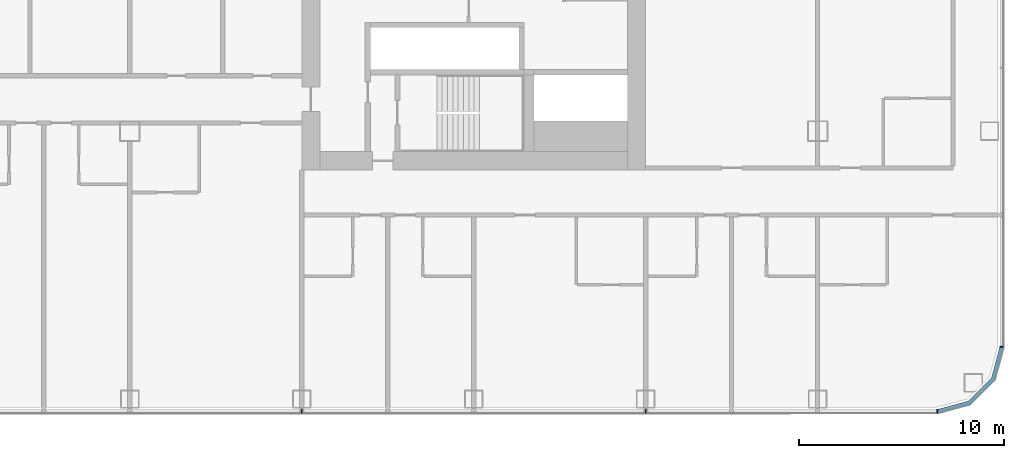
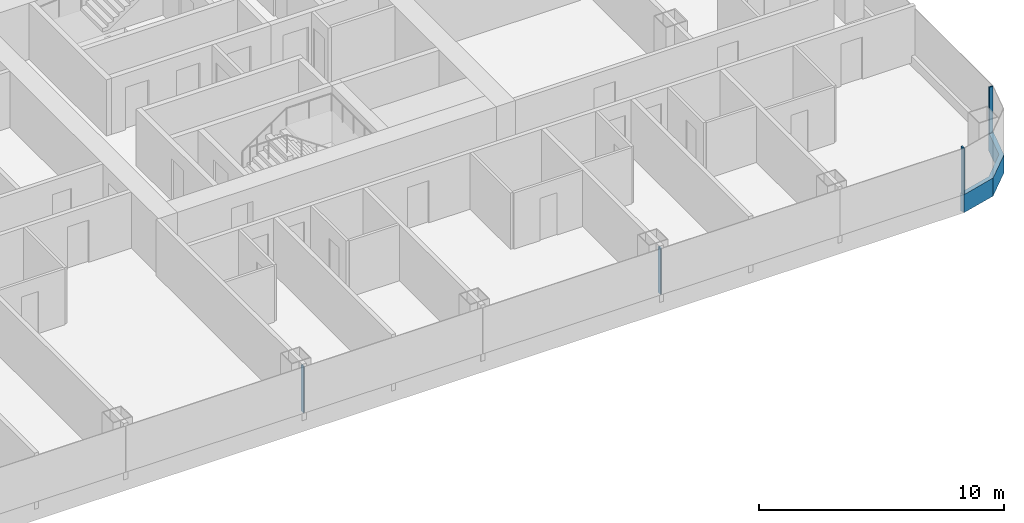
# One storey, part 9 of 29: 5 members, 3 elements without a shape of their own.
"""IFC4 building model written with IfcOpenShell, lengths in metres."""

import ifcopenshell
import ifcopenshell.guid

model = None  # the IFC model being written
_history = None  # IfcOwnerHistory: only IFC2X3 demands one
_inside = {}  # id of a spatial element -> (the spatial element, [elements in it])
_under = {}  # id of a project, library or spatial element -> (it, [spatial elements below it])
_declared = {}  # id of a project -> (the project, [libraries it declares])
_typed = {}  # id of a type object -> (the type object, [elements of that type])
_made_of = {}  # id of a material, layer set ... -> (it, [elements and type objects made of it])


def new_model(schema):
    """Start an empty IFC model of exactly this schema.

    Asked for "IFC4X3", IfcOpenShell would pick the latest addendum, in which some entities
    have other attributes; the version numbers below select the first issue.
    IFC2X3 requires an IfcOwnerHistory on every rooted entity: one is made here for all.
    """
    global model, _history
    if schema == "IFC4X3":
        model = ifcopenshell.file(schema_version=(4, 3, 0, 0))
    else:
        model = ifcopenshell.file(schema=schema)
    _inside.clear()
    _under.clear()
    _declared.clear()
    _typed.clear()
    _made_of.clear()
    _history = None
    if model.schema == "IFC2X3":
        org = make("IfcOrganization", Name="unknown")
        user = make(
            "IfcPersonAndOrganization",
            ThePerson=make("IfcPerson", FamilyName="unknown"),
            TheOrganization=org,
        )
        app = make(
            "IfcApplication",
            ApplicationDeveloper=org,
            Version="unknown",
            ApplicationFullName="unknown",
            ApplicationIdentifier="unknown",
        )
        _history = make(
            "IfcOwnerHistory",
            OwningUser=user,
            OwningApplication=app,
            ChangeAction="ADDED",
            CreationDate=0,
        )
    return model


def make(cls, **values):
    """One entity of the class cls with the attributes given. An attribute that is None is left unset."""
    return model.create_entity(
        cls, **{name: value for name, value in values.items() if value is not None}
    )


def rooted(cls, **values):
    """An entity with a GlobalId (a new one), such as an element, a storey or a relation."""
    return make(cls, GlobalId=ifcopenshell.guid.new(), OwnerHistory=_history, **values)


def si_unit(unit_type, name, prefix=None):
    """IfcSIUnit, for example si_unit("LENGTHUNIT", "METRE", prefix="MILLI")."""
    return make("IfcSIUnit", UnitType=unit_type, Prefix=prefix, Name=name)


def assignment(units):
    """IfcUnitAssignment: the units of a project."""
    return None if units is None else make("IfcUnitAssignment", Units=units)


def point(xyz):
    """IfcCartesianPoint."""
    return None if xyz is None else make("IfcCartesianPoint", Coordinates=xyz)


def direction(xyz):
    """IfcDirection."""
    return None if xyz is None else make("IfcDirection", DirectionRatios=xyz)


def frame(location, z_axis=None, x_axis=None):
    """IfcAxis2Placement3D, a coordinate frame: its origin and axes. An axis left out is left unset."""
    return make(
        "IfcAxis2Placement3D",
        Location=point(location),
        Axis=direction(z_axis),
        RefDirection=direction(x_axis),
    )


def frame_2d(location, x_axis=None):
    """IfcAxis2Placement2D, a coordinate frame in the plane: its origin and x axis."""
    return make(
        "IfcAxis2Placement2D", Location=point(location), RefDirection=direction(x_axis)
    )


def origin():
    """The frame at (0, 0, 0) with its axes left unset."""
    return frame((0.0, 0.0, 0.0))


def origin_2d():
    """The frame at (0, 0) in the plane with its x axis left unset."""
    return frame_2d((0.0, 0.0))


def place(relative_to, where):
    """IfcLocalPlacement: puts the frame where relative to a parent placement (None: the world)."""
    return make(
        "IfcLocalPlacement", PlacementRelTo=relative_to, RelativePlacement=where
    )


def context(
    kind, dimensions, precision=None, world=None, true_north=None, identifier=None
):
    """IfcGeometricRepresentationContext, for example the 3D "Model" context."""
    return make(
        "IfcGeometricRepresentationContext",
        ContextIdentifier=identifier,
        ContextType=kind,
        CoordinateSpaceDimension=dimensions,
        Precision=precision,
        WorldCoordinateSystem=world,
        TrueNorth=true_north,
    )


def subcontext(parent, identifier, kind, view, scale=None):
    """IfcGeometricRepresentationSubContext, for example "Body" below "Model"."""
    return make(
        "IfcGeometricRepresentationSubContext",
        ContextIdentifier=identifier,
        ContextType=kind,
        ParentContext=parent,
        TargetScale=scale,
        TargetView=view,
    )


def project(units=None, contexts=None):
    """IfcProject with its units and contexts."""
    return rooted(
        "IfcProject",
        Name="project",
        RepresentationContexts=contexts,
        UnitsInContext=assignment(units),
    )


def spatial(cls, under=None, at=None, **own):
    """A site, building, storey or space (cls), placed at a placement, below another one or the project."""
    s = rooted(cls, ObjectPlacement=at, **own)
    if under is not None:
        _under.setdefault(under.id(), (under, []))[1].append(s)
    return s


def polyline(points):
    """IfcPolyline through the points."""
    return make("IfcPolyline", Points=[point(p) for p in points])


def profile(cls, at=None, kind="AREA", **sizes):
    """A parametric profile (cls). Its sizes go by their IFC names, for example OverallWidth=200.0."""
    return make(cls, ProfileType=kind, Position=at, **sizes)


def rectangle(**sizes):
    """IfcRectangleProfileDef."""
    return profile("IfcRectangleProfileDef", **sizes)


def outline(outer, holes=None, kind="AREA"):
    """IfcArbitraryClosedProfileDef: a profile drawn as a closed curve; with holes, ...WithVoids."""
    if holes is None:
        return make("IfcArbitraryClosedProfileDef", ProfileType=kind, OuterCurve=outer)
    return make(
        "IfcArbitraryProfileDefWithVoids",
        ProfileType=kind,
        OuterCurve=outer,
        InnerCurves=holes,
    )


def extrude(swept, where, along, depth):
    """IfcExtrudedAreaSolid: the profile swept, set in the frame where, extruded along a direction by depth."""
    return make(
        "IfcExtrudedAreaSolid",
        SweptArea=swept,
        Position=where,
        ExtrudedDirection=direction(along),
        Depth=depth,
    )


def shape(context_of_items, identifier, shape_type, items):
    """IfcShapeRepresentation: the items that make up one representation, for example the "Body"."""
    return make(
        "IfcShapeRepresentation",
        ContextOfItems=context_of_items,
        RepresentationIdentifier=identifier,
        RepresentationType=shape_type,
        Items=items,
    )


def material(Name=None, Category=None):
    """IfcMaterial."""
    return make("IfcMaterial", Name=Name, Category=Category)


def layer(
    of_material, thickness, ventilated=None, Name=None, Category=None, Priority=None
):
    """IfcMaterialLayer: one layer of a wall or slab, of a material (None: an air gap)."""
    return make(
        "IfcMaterialLayer",
        Material=of_material,
        LayerThickness=thickness,
        IsVentilated=ventilated,
        Name=Name,
        Category=Category,
        Priority=Priority,
    )


def layer_set(layers, Name=None):
    """IfcMaterialLayerSet."""
    return make("IfcMaterialLayerSet", MaterialLayers=layers, LayerSetName=Name)


def material_profile(
    of_material, cross_section, Name=None, Category=None, Priority=None
):
    """IfcMaterialProfile: a cross section and its material."""
    return make(
        "IfcMaterialProfile",
        Name=Name,
        Material=of_material,
        Profile=cross_section,
        Priority=Priority,
        Category=Category,
    )


def profile_set(profiles, Name=None, composite=None):
    """IfcMaterialProfileSet."""
    return make(
        "IfcMaterialProfileSet",
        Name=Name,
        MaterialProfiles=profiles,
        CompositeProfile=composite,
    )


def made_of(thing, what):
    """Note that an element or type object is made of a material, layer set ...; save() writes the relation."""
    if what is not None:
        _made_of.setdefault(what.id(), (what, []))[1].append(thing)
    return thing


def type_object(cls, material=None, **own):
    """A type object (cls), such as IfcWallType, which elements share."""
    return made_of(rooted(cls, **own), material)


def element(
    cls,
    number,
    at=None,
    inside=None,
    cuts=None,
    type_object=None,
    material=None,
    context=None,
    identifier="Body",
    shape_type=None,
    held_by="IfcProductDefinitionShape",
    body=None,
    shapes=None,
    **own,
):
    """One element of the class cls, such as IfcWall. Its Tag is "e" and its number.

    at: its placement. inside: the storey or other place that contains it. cuts: it is an
    opening in that element (IfcRelVoidsElement). A single representation is given by context,
    identifier, shape_type and body (its items); several are given by shapes. held_by: the class
    of the entity that holds the representations. save() writes the other relations.
    """
    e = rooted(cls, Tag="e%d" % number, ObjectPlacement=at, **own)
    if body is not None:
        shapes = [shape(context, identifier, shape_type, body)]
    if shapes is not None:
        e.Representation = make(held_by, Representations=shapes)
    if inside is not None:
        _inside.setdefault(inside.id(), (inside, []))[1].append(e)
    if cuts is not None:
        rooted(
            "IfcRelVoidsElement", RelatingBuildingElement=cuts, RelatedOpeningElement=e
        )
    if type_object is not None:
        _typed.setdefault(type_object.id(), (type_object, []))[1].append(e)
    return made_of(e, material)


def aggregate(whole, parts):
    """IfcRelAggregates: a whole, such as a stair, and the parts it consists of."""
    return rooted("IfcRelAggregates", RelatingObject=whole, RelatedObjects=parts)


def save(model, path):
    """Write the relations noted so far, then the file.

    IfcRelAggregates (storeys below a building ...), IfcRelContainedInSpatialStructure (elements
    in a storey), IfcRelDefinesByType, IfcRelAssociatesMaterial and IfcRelDeclares: one each for
    every whole, place, type object, material and project.
    """
    for whole, parts in _under.values():
        aggregate(whole, parts)
    for where, things in _inside.values():
        rooted(
            "IfcRelContainedInSpatialStructure",
            RelatedElements=things,
            RelatingStructure=where,
        )
    for kind, things in _typed.values():
        rooted("IfcRelDefinesByType", RelatedObjects=things, RelatingType=kind)
    for what, things in _made_of.values():
        rooted("IfcRelAssociatesMaterial", RelatedObjects=things, RelatingMaterial=what)
    for by, libraries in _declared.values():
        rooted("IfcRelDeclares", RelatingContext=by, RelatedDefinitions=libraries)
    model.write(path)


model = new_model("IFC4")

# Units and contexts
model_context = context("Model", 3, precision=1e-05, world=origin(), true_north=direction((0.0, 1.0)))
body_context = subcontext(model_context, "Body", "Model", "MODEL_VIEW")
ifc_project = project(units=[si_unit("LENGTHUNIT", "METRE"), si_unit("AREAUNIT", "SQUARE_METRE"), si_unit("VOLUMEUNIT", "CUBIC_METRE"), si_unit("PLANEANGLEUNIT", "RADIAN"), si_unit("MASSUNIT", "GRAM", prefix="KILO")], contexts=[model_context])

# Site, building, storey
site_placement = place(None, origin())
site = spatial("IfcSite", under=ifc_project, at=site_placement, CompositionType="ELEMENT")
building_placement = place(site_placement, origin())
building = spatial("IfcBuilding", under=site, at=building_placement, Name="Hakoniwa Tower and Hamabe Station Hall", CompositionType="ELEMENT")
storey_placement = place(building_placement, frame((0.0, 0.0, 45.39990234375)))
storey = spatial("IfcBuildingStorey", under=building, at=storey_placement, Name="L12", CompositionType="ELEMENT", Elevation=45.39990234375)

# Curtain wall, member
ifc_material_1 = material(Name="Dark low-e laminated glass", Category="glass")
ifc_layer = layer(ifc_material_1, 0.199951171875)
ifc_layer_set = layer_set([ifc_layer], Name="CW-1 UNITISED GUEST")
curtain_wall_type = type_object("IfcCurtainWallType", Name="CW-1 UNITISED GUEST", PredefinedType="NOTDEFINED", material=ifc_layer_set)
curtain_wall_1_placement = place(storey_placement, origin())
curtain_wall_1 = element("IfcCurtainWall", 1, at=curtain_wall_1_placement, inside=storey, type_object=curtain_wall_type, Name="CW-1 curtain wall", PredefinedType="NOTDEFINED")
ifc_material_2 = material(Name="Aluminium 6063-T5 black anodised", Category="aluminium")
ifc_material_profile_1 = material_profile(ifc_material_2, rectangle(XDim=0.199951171875, YDim=0.89990234375, at=origin_2d()), Name="CW SLAB-EDGE BAND 900X200")
ifc_profile_set_1 = profile_set([ifc_material_profile_1], Name="Aluminium 6063-T5 black anodised")
member_type_1 = type_object("IfcMemberType", Name="CW SLAB-EDGE BAND 900X200", PredefinedType="USERDEFINED", material=ifc_profile_set_1)
member_1_placement = place(storey_placement, frame((0.0, 0.0, -0.5498046875)))
member_1 = element("IfcMember", 2, at=member_1_placement, type_object=member_type_1, Name="CW-1 transom", ObjectType="TRANSOM", PredefinedType="USERDEFINED", context=body_context, shape_type="SweptSolid", body=[
    extrude(outline(polyline([(47.839599609375, -20.300048828125), (49.455322265625, -19.866943359375), (50.6669921875, -18.6552734375), (51.10009765625, -17.03955078125), (50.90673828125, -16.98779296875), (50.48779296875, -18.5517578125), (49.351806640625, -19.687744140625), (47.787841796875, -20.10693359375), (47.839599609375, -20.300048828125)])), origin(), (0.0, 0.0, 1.0), 0.89990234375),
])
aggregate(curtain_wall_1, [member_1])

curtain_wall_2_placement = place(storey_placement, origin())
curtain_wall_2 = element("IfcCurtainWall", 3, at=curtain_wall_2_placement, inside=storey, type_object=curtain_wall_type, Name="CW-1 curtain wall", PredefinedType="NOTDEFINED")
ifc_material_3 = material(Name="Aluminium 6063-T5 black anodised", Category="aluminium")
ifc_material_profile_2 = material_profile(ifc_material_3, rectangle(XDim=0.06005859375, YDim=0.179931640625, at=origin_2d()), Name="CW-1 MULLION 60X180")
ifc_profile_set_2 = profile_set([ifc_material_profile_2], Name="Aluminium 6063-T5 black anodised")
member_type_2 = type_object("IfcMemberType", Name="CW-1 MULLION 60X180", PredefinedType="MULLION", material=ifc_profile_set_2)
member_2_placement = place(storey_placement, frame((50.98193359375, -17.03955078125, 0.35009765625), z_axis=(0.0, 0.0, 1.0), x_axis=(0.0, 1.0, 0.0)))
member_2 = element("IfcMember", 4, at=member_2_placement, type_object=member_type_2, Name="CW-1 mullion", PredefinedType="MULLION", context=body_context, shape_type="SweptSolid", body=[
    extrude(rectangle(XDim=0.06005859375, YDim=0.179931640625, at=origin_2d()), origin(), (0.0, 0.0, 1.0), 2.300048828125),
])
aggregate(curtain_wall_2, [member_2])

# Curtain wall, members
curtain_wall_3_placement = place(storey_placement, origin())
curtain_wall_3 = element("IfcCurtainWall", 5, at=curtain_wall_3_placement, inside=storey, type_object=curtain_wall_type, Name="CW-1 curtain wall", PredefinedType="NOTDEFINED")
member_3_placement = place(storey_placement, frame((16.800048828125, -20.181884765625, 0.35009765625), z_axis=(0.0, 0.0, 1.0), x_axis=(1.0, 0.0, 0.0)))
member_3 = element("IfcMember", 6, at=member_3_placement, type_object=member_type_2, Name="CW-1 mullion", PredefinedType="MULLION", context=body_context, shape_type="SweptSolid", body=[
    extrude(rectangle(XDim=0.06005859375, YDim=0.179931640625, at=origin_2d()), origin(), (0.0, 0.0, 1.0), 2.300048828125),
])
member_4_placement = place(storey_placement, frame((33.60009765625, -20.181884765625, 0.35009765625), z_axis=(0.0, 0.0, 1.0), x_axis=(1.0, 0.0, 0.0)))
member_4 = element("IfcMember", 7, at=member_4_placement, type_object=member_type_2, Name="CW-1 mullion", PredefinedType="MULLION", context=body_context, shape_type="SweptSolid", body=[
    extrude(rectangle(XDim=0.06005859375, YDim=0.179931640625, at=origin_2d()), origin(), (0.0, 0.0, 1.0), 2.300048828125),
])
member_5_placement = place(storey_placement, frame((47.839599609375, -20.181884765625, 0.35009765625), z_axis=(0.0, 0.0, 1.0), x_axis=(1.0, 0.0, 0.0)))
member_5 = element("IfcMember", 8, at=member_5_placement, type_object=member_type_2, Name="CW-1 mullion", PredefinedType="MULLION", context=body_context, shape_type="SweptSolid", body=[
    extrude(rectangle(XDim=0.06005859375, YDim=0.179931640625, at=origin_2d()), origin(), (0.0, 0.0, 1.0), 2.300048828125),
])
aggregate(curtain_wall_3, [member_3, member_4, member_5])

save(model, "model.ifc")
